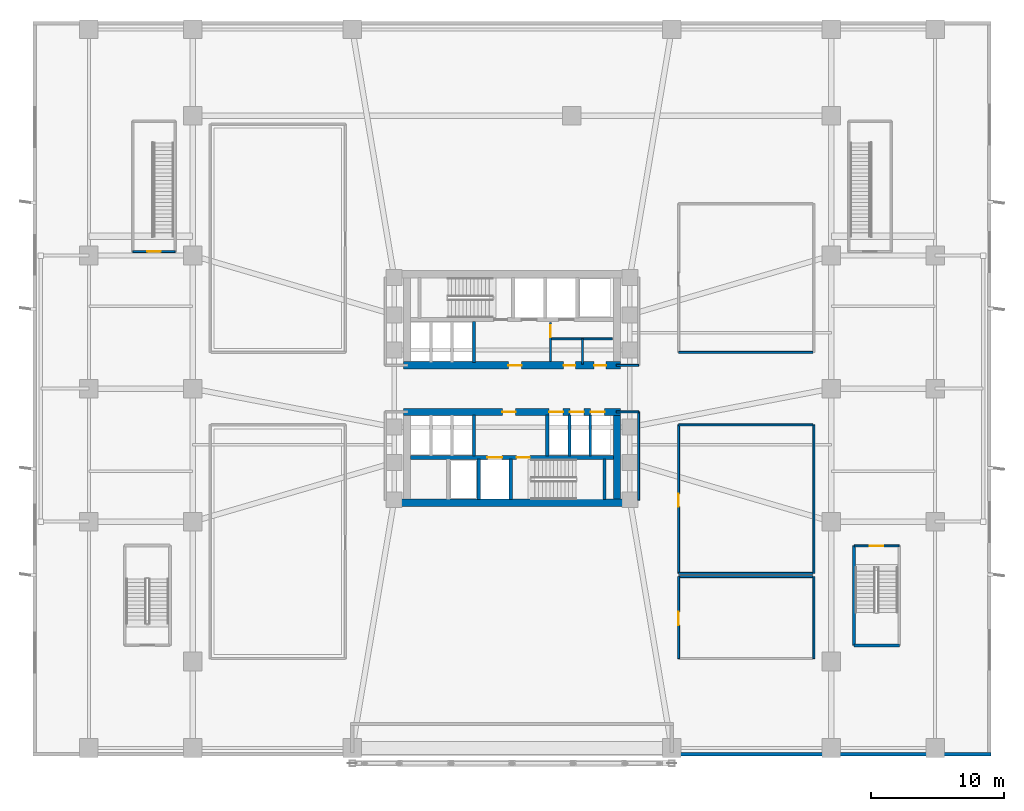
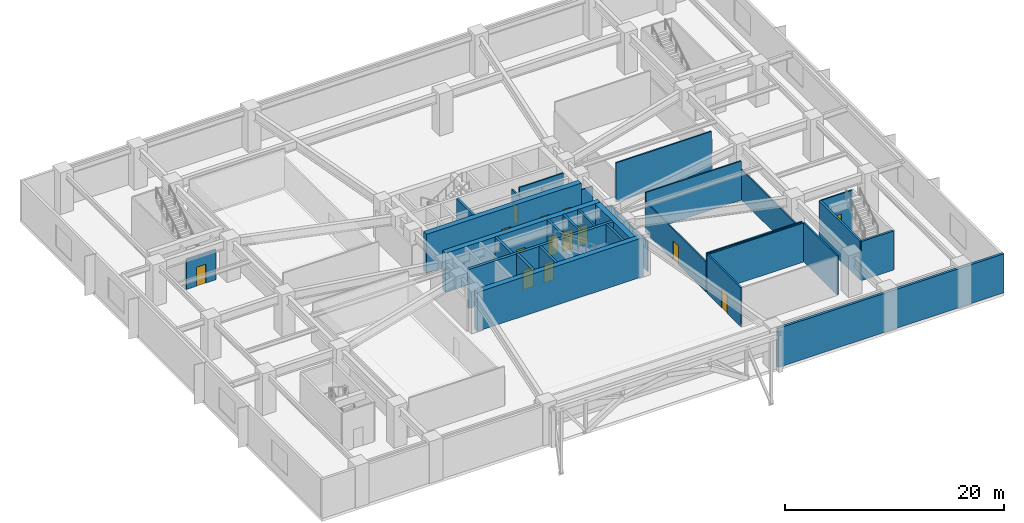
# One storey, part 13 of 21: 32 walls, 14 doors, 14 openings.
"""IFC4 building model written with IfcOpenShell, lengths in metres."""

from ifc_helpers import new_model, si_unit, direction, frame, frame_2d, origin, place, context, subcontext, project, spatial, rectangle, extrude, material, layer, layer_set, type_object, element, fill, save


model = new_model("IFC4")

# Units and contexts
model_context = context("Model", 3, precision=1e-05, world=origin(), true_north=direction((0.0, 1.0)))
body_context = subcontext(model_context, "Body", "Model", "MODEL_VIEW")
ifc_project = project(units=[si_unit("LENGTHUNIT", "METRE"), si_unit("AREAUNIT", "SQUARE_METRE"), si_unit("VOLUMEUNIT", "CUBIC_METRE"), si_unit("PLANEANGLEUNIT", "RADIAN"), si_unit("MASSUNIT", "GRAM", prefix="KILO")], contexts=[model_context])

# Site, building, storey
site_placement = place(None, origin())
site = spatial("IfcSite", under=ifc_project, at=site_placement, CompositionType="ELEMENT")
building_placement = place(site_placement, origin())
building = spatial("IfcBuilding", under=site, at=building_placement, Name="Solmarez Civic Tower", CompositionType="ELEMENT")
storey_placement = place(building_placement, frame((0.0, 0.0, 10.080078125)))
storey = spatial("IfcBuildingStorey", under=building, at=storey_placement, Name="L02", CompositionType="ELEMENT", Elevation=10.080078125)

# Wall, openings, doors
ifc_material_1 = material(Name="Concrete C60/75", Category="concrete")
ifc_layer_1 = layer(ifc_material_1, 0.550048828125)
ifc_layer_set_1 = layer_set([ifc_layer_1], Name="Concrete C60/75")
wall_type_1 = type_object("IfcWallType", Name="WALL-CORE-550", PredefinedType="SHEAR", material=ifc_layer_set_1)
wall_1_placement = place(storey_placement, frame((8.169921875, 1.75, 0.0), z_axis=(0.0, 0.0, 1.0), x_axis=(-1.0, 0.0, 0.0)))
wall_1 = element("IfcWall", 1, at=wall_1_placement, inside=storey, type_object=wall_type_1, Name="L02 Split-Core Structural Wall NCW-S-L02", PredefinedType="SHEAR", context=body_context, shape_type="SweptSolid", body=[
    extrude(rectangle(XDim=16.33984375, YDim=0.550048828125, at=frame_2d((8.169921875, 0.0))), origin(), (0.0, 0.0, 1.0), 4.35986328125),
])
opening_1_placement = place(wall_1_placement, frame((7.449951171875, 0.0, 0.0)))
opening_1 = element("IfcOpeningElement", 2, at=opening_1_placement, cuts=wall_1, Name="Opening D-04", PredefinedType="OPENING", context=body_context, shape_type="SweptSolid", body=[
    extrude(rectangle(XDim=1.0, YDim=2.10009765625, at=frame_2d((0.5, 1.050048828125))), frame((0.0, 0.284912109375, 0.0), z_axis=(0.0, -1.0, 0.0), x_axis=(1.0, 0.0, 0.0)), (0.0, 0.0, 1.0), 0.570068359375),
])
opening_2_placement = place(wall_1_placement, frame((3.39990234375, 0.0, 0.0)))
opening_2 = element("IfcOpeningElement", 3, at=opening_2_placement, cuts=wall_1, Name="Opening D-09", PredefinedType="OPENING", context=body_context, shape_type="SweptSolid", body=[
    extrude(rectangle(XDim=0.89990234375, YDim=2.06005859375, at=frame_2d((0.449951171875, 1.030029296875))), frame((0.0, 0.284912109375, 0.0), z_axis=(0.0, -1.0, 0.0), x_axis=(1.0, 0.0, 0.0)), (0.0, 0.0, 1.0), 0.570068359375),
])
opening_3_placement = place(wall_1_placement, frame((1.10009765625, 0.0, 0.0)))
opening_3 = element("IfcOpeningElement", 4, at=opening_3_placement, cuts=wall_1, Name="Opening D-09", PredefinedType="OPENING", context=body_context, shape_type="SweptSolid", body=[
    extrude(rectangle(XDim=0.89990234375, YDim=2.06005859375, at=frame_2d((0.449951171875, 1.030029296875))), frame((0.0, 0.284912109375, 0.0), z_axis=(0.0, -1.0, 0.0), x_axis=(1.0, 0.0, 0.0)), (0.0, 0.0, 1.0), 0.570068359375),
])
ifc_material_2 = material(Name="Steel-Faced Acoustic Fire Door", Category="steel")
door_type_1 = type_object("IfcDoorType", Name="DOOR-FD60-1000", OperationType="NOTDEFINED", PredefinedType="DOOR", material=ifc_material_2)
door_1_placement = place(opening_1_placement, origin())
door_1 = element("IfcDoor", 5, at=door_1_placement, inside=storey, type_object=door_type_1, Name="L02 North Firefighting Lobby Door", OperationType="SINGLE_SWING_LEFT", OverallHeight=2.10009765625, OverallWidth=1.0, PredefinedType="DOOR", context=body_context, shape_type="SweptSolid", body=[
    extrude(rectangle(XDim=1.0, YDim=2.10009765625, at=frame_2d((0.5, 1.050048828125))), frame((0.0, 0.02490234375, 0.0), z_axis=(0.0, -1.0, 0.0), x_axis=(1.0, 0.0, 0.0)), (0.0, 0.0, 1.0), 0.050048828125),
])
fill(opening_1, door_1)
ifc_material_3 = material(Name="Fire-Rated Service Core Door", Category="wood")
door_type_2 = type_object("IfcDoorType", Name="DOOR-FD60-900", OperationType="NOTDEFINED", PredefinedType="DOOR", material=ifc_material_3)
door_2_placement = place(opening_2_placement, origin())
door_2 = element("IfcDoor", 6, at=door_2_placement, inside=storey, type_object=door_type_2, Name="L02 Core WC Door", OperationType="SINGLE_SWING_LEFT", OverallHeight=2.06005859375, OverallWidth=0.89990234375, PredefinedType="DOOR", context=body_context, shape_type="SweptSolid", body=[
    extrude(rectangle(XDim=0.89990234375, YDim=2.06005859375, at=frame_2d((0.449951171875, 1.030029296875))), frame((0.0, 0.02490234375, 0.0), z_axis=(0.0, -1.0, 0.0), x_axis=(1.0, 0.0, 0.0)), (0.0, 0.0, 1.0), 0.050048828125),
])
fill(opening_2, door_2)
door_3_placement = place(opening_3_placement, origin())
door_3 = element("IfcDoor", 7, at=door_3_placement, inside=storey, type_object=door_type_2, Name="L02 Core CL Door", OperationType="SINGLE_SWING_RIGHT", OverallHeight=2.06005859375, OverallWidth=0.89990234375, PredefinedType="DOOR", context=body_context, shape_type="SweptSolid", body=[
    extrude(rectangle(XDim=0.89990234375, YDim=2.06005859375, at=frame_2d((0.449951171875, 1.030029296875))), frame((0.0, 0.02490234375, 0.0), z_axis=(0.0, -1.0, 0.0), x_axis=(1.0, 0.0, 0.0)), (0.0, 0.0, 1.0), 0.050048828125),
])
fill(opening_3, door_3)

# Wall
wall_2_placement = place(storey_placement, frame((8.780029296875, -8.5849609375, 0.0), z_axis=(0.0, 0.0, 1.0), x_axis=(-1.0, 0.0, 0.0)))
element("IfcWall", 8, at=wall_2_placement, inside=storey, type_object=wall_type_1, Name="L02 Split-Core Structural Wall SCW-S-L02", PredefinedType="SHEAR", context=body_context, shape_type="SweptSolid", body=[
    extrude(rectangle(XDim=17.56005859375, YDim=0.550048828125, at=frame_2d((8.780029296875, 0.0))), origin(), (0.0, 0.0, 1.0), 4.35986328125),
])

# Wall, openings, doors
wall_3_placement = place(storey_placement, frame((-8.169921875, -1.75, 0.0), z_axis=(0.0, 0.0, 1.0), x_axis=(1.0, 0.0, 0.0)))
wall_3 = element("IfcWall", 9, at=wall_3_placement, inside=storey, type_object=wall_type_1, Name="L02 Split-Core Structural Wall SCW-N-L02", PredefinedType="SHEAR", context=body_context, shape_type="SweptSolid", body=[
    extrude(rectangle(XDim=16.33984375, YDim=0.550048828125, at=frame_2d((8.169921875, 0.0))), origin(), (0.0, 0.0, 1.0), 4.35986328125),
])
opening_4_placement = place(wall_3_placement, frame((7.449951171875, 0.0, 0.0)))
opening_4 = element("IfcOpeningElement", 10, at=opening_4_placement, cuts=wall_3, Name="Opening D-04", PredefinedType="OPENING", context=body_context, shape_type="SweptSolid", body=[
    extrude(rectangle(XDim=1.0, YDim=2.10009765625, at=frame_2d((0.5, 1.050048828125))), frame((0.0, 0.284912109375, 0.0), z_axis=(0.0, -1.0, 0.0), x_axis=(1.0, 0.0, 0.0)), (0.0, 0.0, 1.0), 0.570068359375),
])
opening_5_placement = place(wall_3_placement, frame((10.965087890625, 0.0, 0.0)))
opening_5 = element("IfcOpeningElement", 11, at=opening_5_placement, cuts=wall_3, Name="Opening LD-01", PredefinedType="OPENING", context=body_context, shape_type="SweptSolid", body=[
    extrude(rectangle(XDim=1.050048828125, YDim=2.14990234375, at=frame_2d((0.52490234375, 1.074951171875))), frame((0.0, 0.284912109375, 0.0), z_axis=(0.0, -1.0, 0.0), x_axis=(1.0, 0.0, 0.0)), (0.0, 0.0, 1.0), 0.570068359375),
])
opening_6_placement = place(wall_3_placement, frame((12.52490234375, 0.0, 0.0)))
opening_6 = element("IfcOpeningElement", 12, at=opening_6_placement, cuts=wall_3, Name="Opening LD-01", PredefinedType="OPENING", context=body_context, shape_type="SweptSolid", body=[
    extrude(rectangle(XDim=1.050048828125, YDim=2.14990234375, at=frame_2d((0.52490234375, 1.074951171875))), frame((0.0, 0.284912109375, 0.0), z_axis=(0.0, -1.0, 0.0), x_axis=(1.0, 0.0, 0.0)), (0.0, 0.0, 1.0), 0.570068359375),
])
opening_7_placement = place(wall_3_placement, frame((14.0849609375, 0.0, 0.0)))
opening_7 = element("IfcOpeningElement", 13, at=opening_7_placement, cuts=wall_3, Name="Opening LD-01", PredefinedType="OPENING", context=body_context, shape_type="SweptSolid", body=[
    extrude(rectangle(XDim=1.050048828125, YDim=2.14990234375, at=frame_2d((0.52490234375, 1.074951171875))), frame((0.0, 0.284912109375, 0.0), z_axis=(0.0, -1.0, 0.0), x_axis=(1.0, 0.0, 0.0)), (0.0, 0.0, 1.0), 0.570068359375),
])
door_4_placement = place(opening_4_placement, origin())
door_4 = element("IfcDoor", 14, at=door_4_placement, inside=storey, type_object=door_type_1, Name="L02 South Firefighting Lobby Door", OperationType="SINGLE_SWING_RIGHT", OverallHeight=2.10009765625, OverallWidth=1.0, PredefinedType="DOOR", context=body_context, shape_type="SweptSolid", body=[
    extrude(rectangle(XDim=1.0, YDim=2.10009765625, at=frame_2d((0.5, 1.050048828125))), frame((0.0, 0.02490234375, 0.0), z_axis=(0.0, -1.0, 0.0), x_axis=(1.0, 0.0, 0.0)), (0.0, 0.0, 1.0), 0.050048828125),
])
fill(opening_4, door_4)
ifc_material_4 = material(Name="Bronze Passenger Lift Landing Sliding Door", Category="aluminium")
door_type_3 = type_object("IfcDoorType", Name="DOOR-LD-PAX-1050", OperationType="DOUBLE_DOOR_SLIDING", PredefinedType="DOOR", material=ifc_material_4)
door_5_placement = place(opening_5_placement, origin())
door_5 = element("IfcDoor", 15, at=door_5_placement, inside=storey, type_object=door_type_3, Name="L02 Low-Rise Lift Landing Door PL-L1", OperationType="DOUBLE_DOOR_SLIDING", OverallHeight=2.14990234375, OverallWidth=1.050048828125, PredefinedType="DOOR", context=body_context, shape_type="SweptSolid", body=[
    extrude(rectangle(XDim=1.050048828125, YDim=2.14990234375, at=frame_2d((0.52490234375, 1.074951171875))), frame((0.0, 0.02490234375, 0.0), z_axis=(0.0, -1.0, 0.0), x_axis=(1.0, 0.0, 0.0)), (0.0, 0.0, 1.0), 0.050048828125),
])
fill(opening_5, door_5)
door_6_placement = place(opening_6_placement, origin())
door_6 = element("IfcDoor", 16, at=door_6_placement, inside=storey, type_object=door_type_3, Name="L02 Low-Rise Lift Landing Door PL-L2", OperationType="DOUBLE_DOOR_SLIDING", OverallHeight=2.14990234375, OverallWidth=1.050048828125, PredefinedType="DOOR", context=body_context, shape_type="SweptSolid", body=[
    extrude(rectangle(XDim=1.050048828125, YDim=2.14990234375, at=frame_2d((0.52490234375, 1.074951171875))), frame((0.0, 0.02490234375, 0.0), z_axis=(0.0, -1.0, 0.0), x_axis=(1.0, 0.0, 0.0)), (0.0, 0.0, 1.0), 0.050048828125),
])
fill(opening_6, door_6)
door_7_placement = place(opening_7_placement, origin())
door_7 = element("IfcDoor", 17, at=door_7_placement, inside=storey, type_object=door_type_3, Name="L02 Low-Rise Lift Landing Door PL-L3", OperationType="DOUBLE_DOOR_SLIDING", OverallHeight=2.14990234375, OverallWidth=1.050048828125, PredefinedType="DOOR", context=body_context, shape_type="SweptSolid", body=[
    extrude(rectangle(XDim=1.050048828125, YDim=2.14990234375, at=frame_2d((0.52490234375, 1.074951171875))), frame((0.0, 0.02490234375, 0.0), z_axis=(0.0, -1.0, 0.0), x_axis=(1.0, 0.0, 0.0)), (0.0, 0.0, 1.0), 0.050048828125),
])
fill(opening_7, door_7)

# Walls
wall_4_placement = place(storey_placement, frame((7.89501953125, -2.02490234375, 0.0), z_axis=(0.0, 0.0, 1.0), x_axis=(0.0, -1.0, 0.0)))
element("IfcWall", 18, at=wall_4_placement, inside=storey, type_object=wall_type_1, Name="L02 Split-Core Structural Wall SCW-E-L02", PredefinedType="SHEAR", context=body_context, shape_type="SweptSolid", body=[
    extrude(rectangle(XDim=6.28515625, YDim=0.550048828125, at=frame_2d((3.142578125, 0.0))), origin(), (0.0, 0.0, 1.0), 4.35986328125),
])
ifc_material_5 = material(Name="Precast concrete C40/50", Category="concrete")
ifc_layer_2 = layer(ifc_material_5, 0.260009765625)
ifc_layer_set_2 = layer_set([ifc_layer_2], Name="Precast concrete C40/50")
wall_type_2 = type_object("IfcWallType", Name="WALL-EXT-260", PredefinedType="SOLIDWALL", material=ifc_layer_set_2)
wall_5_placement = place(storey_placement, frame((36.0, -27.469970703125, 0.0), z_axis=(0.0, 0.0, 1.0), x_axis=(-1.0, 0.0, 0.0)))
element("IfcWall", 19, at=wall_5_placement, inside=storey, type_object=wall_type_2, Name="L02 South Arch Podium Wall EW-SE-L02", PredefinedType="SOLIDWALL", context=body_context, shape_type="SweptSolid", body=[
    extrude(rectangle(XDim=23.8701171875, YDim=0.260009765625, at=frame_2d((11.93505859375, 0.0))), origin(), (0.0, 0.0, 1.0), 4.35986328125),
])

# Wall, opening, door
ifc_material_6 = material(Name="Gypsum Board Acoustic Steel-Stud Partition", Category="steel")
ifc_layer_3 = layer(ifc_material_6, 0.14990234375)
ifc_layer_set_3 = layer_set([ifc_layer_3], Name="Gypsum Board Acoustic Steel-Stud Partition")
wall_type_3 = type_object("IfcWallType", Name="WALL-INT-FIRE-150", PredefinedType="PARTITIONING", material=ifc_layer_set_3)
wall_6_placement = place(storey_placement, frame((29.080078125, -11.820068359375, 0.0), z_axis=(0.0, 0.0, 1.0), x_axis=(-1.0, 0.0, 0.0)))
wall_6 = element("IfcWall", 20, at=wall_6_placement, inside=storey, type_object=wall_type_3, Name="L02 Podium Exit Stair STP2 Wall", PredefinedType="PARTITIONING", context=body_context, shape_type="SweptSolid", body=[
    extrude(rectangle(XDim=3.360107421875, YDim=0.14990234375, at=frame_2d((1.68017578125, 0.0))), origin(), (0.0, 0.0, 1.0), 4.35986328125),
])
opening_8_placement = place(wall_6_placement, frame((1.179931640625, 0.0, 0.0)))
opening_8 = element("IfcOpeningElement", 21, at=opening_8_placement, cuts=wall_6, Name="Opening D-05", PredefinedType="OPENING", context=body_context, shape_type="SweptSolid", body=[
    extrude(rectangle(XDim=1.0, YDim=2.10009765625, at=frame_2d((0.5, 1.050048828125))), frame((0.0, 0.0849609375, 0.0), z_axis=(0.0, -1.0, 0.0), x_axis=(1.0, 0.0, 0.0)), (0.0, 0.0, 1.0), 0.169921875),
])
ifc_material_7 = material(Name="Fire-Rated Stairwell Exit Door", Category="wood")
door_type_4 = type_object("IfcDoorType", Name="DOOR-FD90-1000", OperationType="NOTDEFINED", PredefinedType="DOOR", material=ifc_material_7)
door_8_placement = place(opening_8_placement, origin())
door_8 = element("IfcDoor", 22, at=door_8_placement, inside=storey, type_object=door_type_4, Name="L02 Podium Exit Stair STP2 Door", OperationType="SINGLE_SWING_LEFT", OverallHeight=2.10009765625, OverallWidth=1.0, PredefinedType="DOOR", context=body_context, shape_type="SweptSolid", body=[
    extrude(rectangle(XDim=1.0, YDim=2.10009765625, at=frame_2d((0.5, 1.050048828125))), frame((0.0, 0.02490234375, 0.0), z_axis=(0.0, -1.0, 0.0), x_axis=(1.0, 0.0, 0.0)), (0.0, 0.0, 1.0), 0.050048828125),
])
fill(opening_8, door_8)

wall_7_placement = place(storey_placement, frame((-28.47998046875, 10.300048828125, 0.0), z_axis=(0.0, 0.0, 1.0), x_axis=(1.0, 0.0, 0.0)))
wall_7 = element("IfcWall", 23, at=wall_7_placement, inside=storey, type_object=wall_type_3, Name="L02 Podium Stair P3 Shaft Wall", PredefinedType="PARTITIONING", context=body_context, shape_type="SweptSolid", body=[
    extrude(rectangle(XDim=3.159912109375, YDim=0.14990234375, at=frame_2d((1.580078125, 0.0))), origin(), (0.0, 0.0, 1.0), 3.369873046875),
])
opening_9_placement = place(wall_7_placement, frame((1.080078125, 0.0, 0.0)))
opening_9 = element("IfcOpeningElement", 24, at=opening_9_placement, cuts=wall_7, Name="Opening D-05", PredefinedType="OPENING", context=body_context, shape_type="SweptSolid", body=[
    extrude(rectangle(XDim=1.0, YDim=2.10009765625, at=frame_2d((0.5, 1.050048828125))), frame((0.0, 0.0849609375, 0.0), z_axis=(0.0, -1.0, 0.0), x_axis=(1.0, 0.0, 0.0)), (0.0, 0.0, 1.0), 0.169921875),
])
door_9_placement = place(opening_9_placement, origin())
door_9 = element("IfcDoor", 25, at=door_9_placement, inside=storey, type_object=door_type_4, Name="L02 Podium Stair P3 Entry Door", OperationType="SINGLE_SWING_RIGHT", OverallHeight=2.10009765625, OverallWidth=1.0, PredefinedType="DOOR", context=body_context, shape_type="SweptSolid", body=[
    extrude(rectangle(XDim=1.0, YDim=2.10009765625, at=frame_2d((0.5, 1.050048828125))), frame((0.0, 0.02490234375, 0.0), z_axis=(0.0, -1.0, 0.0), x_axis=(1.0, 0.0, 0.0)), (0.0, 0.0, 1.0), 0.050048828125),
])
fill(opening_9, door_9)

# Walls
wall_8_placement = place(storey_placement, frame((7.85009765625, 1.75, 0.0), z_axis=(0.0, 0.0, 1.0), x_axis=(1.0, 0.0, 0.0)))
element("IfcWall", 26, at=wall_8_placement, inside=storey, type_object=wall_type_3, Name="L02 Interior Partition CHW-L02-EN3", PredefinedType="PARTITIONING", context=body_context, shape_type="SweptSolid", body=[
    extrude(rectangle(XDim=1.669921875, YDim=0.14990234375, at=frame_2d((0.8349609375, 0.0))), origin(), (0.0, 0.0, 1.0), 3.4248046875),
])
wall_9_placement = place(storey_placement, frame((9.52001953125, -8.3798828125, 0.0), z_axis=(0.0, 0.0, 1.0), x_axis=(0.0, 1.0, 0.0)))
element("IfcWall", 27, at=wall_9_placement, inside=storey, type_object=wall_type_3, Name="L02 Interior Partition CHW-L02-ES1", PredefinedType="PARTITIONING", context=body_context, shape_type="SweptSolid", body=[
    extrude(rectangle(XDim=6.6298828125, YDim=0.14990234375, at=frame_2d((3.31494140625, 0.0))), origin(), (0.0, 0.0, 1.0), 3.369873046875),
])
wall_10_placement = place(storey_placement, frame((7.85009765625, -1.75, 0.0), z_axis=(0.0, 0.0, 1.0), x_axis=(1.0, 0.0, 0.0)))
element("IfcWall", 28, at=wall_10_placement, inside=storey, type_object=wall_type_3, Name="L02 Interior Partition CHW-L02-ES3", PredefinedType="PARTITIONING", context=body_context, shape_type="SweptSolid", body=[
    extrude(rectangle(XDim=1.669921875, YDim=0.14990234375, at=frame_2d((0.8349609375, 0.0))), origin(), (0.0, 0.0, 1.0), 3.4248046875),
])
wall_11_placement = place(storey_placement, frame((22.679931640625, -13.8798828125, 0.0), z_axis=(0.0, 0.0, 1.0), x_axis=(0.0, 1.0, 0.0)))
element("IfcWall", 29, at=wall_11_placement, inside=storey, type_object=wall_type_3, Name="L02 Interior Partition PT-L0X-L02-SE1-B", PredefinedType="PARTITIONING", context=body_context, shape_type="SweptSolid", body=[
    extrude(rectangle(XDim=11.159912109375, YDim=0.14990234375, at=frame_2d((5.580078125, 0.0))), origin(), (0.0, 0.0, 1.0), 3.369873046875),
])
wall_12_placement = place(storey_placement, frame((22.679931640625, -20.280029296875, 0.0), z_axis=(0.0, 0.0, 1.0), x_axis=(0.0, 1.0, 0.0)))
element("IfcWall", 30, at=wall_12_placement, inside=storey, type_object=wall_type_3, Name="L02 Interior Partition PT-L0X-L02-WC2-B", PredefinedType="PARTITIONING", context=body_context, shape_type="SweptSolid", body=[
    extrude(rectangle(XDim=6.159912109375, YDim=0.14990234375, at=frame_2d((3.080078125, 0.0))), origin(), (0.0, 0.0, 1.0), 4.35986328125),
])
ifc_layer_4 = layer(ifc_material_6, 0.14501953125)
ifc_layer_set_4 = layer_set([ifc_layer_4], Name="Gypsum Board Acoustic Steel-Stud Partition")
wall_type_4 = type_object("IfcWallType", Name="WALL-INT-PART-150", PredefinedType="PARTITIONING", material=ifc_layer_set_4)
wall_13_placement = place(storey_placement, frame((12.52001953125, 2.719970703125, 0.0), z_axis=(0.0, 0.0, 1.0), x_axis=(1.0, 0.0, 0.0)))
element("IfcWall", 31, at=wall_13_placement, inside=storey, type_object=wall_type_4, Name="L02 Interior Partition PT-L0X-L02-NE1-S", PredefinedType="PARTITIONING", context=body_context, shape_type="SweptSolid", body=[
    extrude(rectangle(XDim=10.080078125, YDim=0.14501953125, at=frame_2d((5.0400390625, 0.0))), origin(), (0.0, 0.0, 1.0), 4.35986328125),
])

# Wall, opening, door
wall_14_placement = place(storey_placement, frame((12.52001953125, -13.8798828125, 0.0), z_axis=(0.0, 0.0, 1.0), x_axis=(0.0, 1.0, 0.0)))
wall_14 = element("IfcWall", 32, at=wall_14_placement, inside=storey, type_object=wall_type_4, Name="L02 Interior Partition PT-L0X-L02-SE1-F", PredefinedType="PARTITIONING", context=body_context, shape_type="SweptSolid", body=[
    extrude(rectangle(XDim=11.159912109375, YDim=0.14501953125, at=frame_2d((5.580078125, 0.0))), origin(), (0.0, 0.0, 1.0), 3.369873046875),
])
opening_10_placement = place(wall_14_placement, frame((5.0, 0.0, 0.0)))
opening_10 = element("IfcOpeningElement", 33, at=opening_10_placement, cuts=wall_14, Name="Opening D-04", PredefinedType="OPENING", context=body_context, shape_type="SweptSolid", body=[
    extrude(rectangle(XDim=1.0, YDim=2.10009765625, at=frame_2d((0.5, 1.050048828125))), frame((0.0, 0.08251953125, 0.0), z_axis=(0.0, -1.0, 0.0), x_axis=(1.0, 0.0, 0.0)), (0.0, 0.0, 1.0), 0.1650390625),
])
door_10_placement = place(opening_10_placement, origin())
door_10 = element("IfcDoor", 34, at=door_10_placement, inside=storey, type_object=door_type_1, Name="L02 Legislative Law Library Door", OperationType="SINGLE_SWING_RIGHT", OverallHeight=2.10009765625, OverallWidth=1.0, PredefinedType="DOOR", context=body_context, shape_type="SweptSolid", body=[
    extrude(rectangle(XDim=1.0, YDim=2.10009765625, at=frame_2d((0.5, 1.050048828125))), frame((0.0, 0.02490234375, 0.0), z_axis=(0.0, -1.0, 0.0), x_axis=(1.0, 0.0, 0.0)), (0.0, 0.0, 1.0), 0.050048828125),
])
fill(opening_10, door_10)

# Walls
for number, where, z_axis, x_axis, name in (
    (35, (12.52001953125, -13.8798828125, 0.0), (0.0, 0.0, 1.0), (1.0, 0.0, 0.0), "L02 Interior Partition PT-L0X-L02-SE1-S"),
    (36, (12.52001953125, -2.719970703125, 0.0), (0.0, 0.0, 1.0), (1.0, 0.0, 0.0), "L02 Interior Partition PT-L0X-L02-SE1-N"),
):
    element("IfcWall", number, at=place(storey_placement, frame(where, z_axis=z_axis, x_axis=x_axis)), inside=storey, type_object=wall_type_4, Name=name, PredefinedType="PARTITIONING", context=body_context, shape_type="SweptSolid", body=[
        extrude(rectangle(XDim=10.080078125, YDim=0.14501953125, at=frame_2d((5.0400390625, 0.0))), origin(), (0.0, 0.0, 1.0), 4.35986328125),
    ])

# Wall, opening, door
wall_15_placement = place(storey_placement, frame((12.52001953125, -20.280029296875, 0.0), z_axis=(0.0, 0.0, 1.0), x_axis=(0.0, 1.0, 0.0)))
wall_15 = element("IfcWall", 37, at=wall_15_placement, inside=storey, type_object=wall_type_4, Name="L02 Interior Partition PT-L0X-L02-WC2-F", PredefinedType="PARTITIONING", context=body_context, shape_type="SweptSolid", body=[
    extrude(rectangle(XDim=6.159912109375, YDim=0.14501953125, at=frame_2d((3.080078125, 0.0))), origin(), (0.0, 0.0, 1.0), 4.35986328125),
])
opening_11_placement = place(wall_15_placement, frame((2.5, 0.0, 0.0)))
opening_11 = element("IfcOpeningElement", 38, at=opening_11_placement, cuts=wall_15, Name="Opening D-04", PredefinedType="OPENING", context=body_context, shape_type="SweptSolid", body=[
    extrude(rectangle(XDim=1.0, YDim=2.10009765625, at=frame_2d((0.5, 1.050048828125))), frame((0.0, 0.08251953125, 0.0), z_axis=(0.0, -1.0, 0.0), x_axis=(1.0, 0.0, 0.0)), (0.0, 0.0, 1.0), 0.1650390625),
])
door_11_placement = place(opening_11_placement, origin())
door_11 = element("IfcDoor", 39, at=door_11_placement, inside=storey, type_object=door_type_1, Name="L02 Council Public Accessible Restrooms Door", OperationType="SINGLE_SWING_RIGHT", OverallHeight=2.10009765625, OverallWidth=1.0, PredefinedType="DOOR", context=body_context, shape_type="SweptSolid", body=[
    extrude(rectangle(XDim=1.0, YDim=2.10009765625, at=frame_2d((0.5, 1.050048828125))), frame((0.0, 0.02490234375, 0.0), z_axis=(0.0, -1.0, 0.0), x_axis=(1.0, 0.0, 0.0)), (0.0, 0.0, 1.0), 0.050048828125),
])
fill(opening_11, door_11)

# Wall
wall_16_placement = place(storey_placement, frame((12.52001953125, -14.1201171875, 0.0), z_axis=(0.0, 0.0, 1.0), x_axis=(1.0, 0.0, 0.0)))
element("IfcWall", 40, at=wall_16_placement, inside=storey, type_object=wall_type_4, Name="L02 Interior Partition PT-L0X-L02-WC2-N", PredefinedType="PARTITIONING", context=body_context, shape_type="SweptSolid", body=[
    extrude(rectangle(XDim=10.080078125, YDim=0.14501953125, at=frame_2d((5.0400390625, 0.0))), origin(), (0.0, 0.0, 1.0), 4.35986328125),
])

# Wall, opening, door
ifc_layer_5 = layer(ifc_material_6, 0.159912109375)
ifc_layer_set_5 = layer_set([ifc_layer_5], Name="Gypsum Board Acoustic Steel-Stud Partition")
wall_type_5 = type_object("IfcWallType", Name="WALL-INT-SHAFT-160", PredefinedType="PARTITIONING", material=ifc_layer_set_5)
wall_17_placement = place(storey_placement, frame((2.89990234375, 2.0400390625, 0.0), z_axis=(0.0, 0.0, 1.0), x_axis=(0.0, 1.0, 0.0)))
wall_17 = element("IfcWall", 41, at=wall_17_placement, inside=storey, type_object=wall_type_5, Name="L02 Interior Partition SHW-NL2-L02", PredefinedType="PARTITIONING", context=body_context, shape_type="SweptSolid", body=[
    extrude(rectangle(XDim=2.93994140625, YDim=0.159912109375, at=frame_2d((1.469970703125, 0.0))), origin(), (0.0, 0.0, 1.0), 3.4248046875),
])
opening_12_placement = place(wall_17_placement, frame((1.820068359375, 0.0, 0.0)))
opening_12 = element("IfcOpeningElement", 42, at=opening_12_placement, cuts=wall_17, Name="Opening D-09", PredefinedType="OPENING", context=body_context, shape_type="SweptSolid", body=[
    extrude(rectangle(XDim=0.89990234375, YDim=2.06005859375, at=frame_2d((0.449951171875, 1.030029296875))), frame((0.0, 0.08984375, 0.0), z_axis=(0.0, -1.0, 0.0), x_axis=(1.0, 0.0, 0.0)), (0.0, 0.0, 1.0), 0.179931640625),
])
door_12_placement = place(opening_12_placement, origin())
door_12 = element("IfcDoor", 43, at=door_12_placement, inside=storey, type_object=door_type_2, Name="L02 Service Lift Lobby Door", OperationType="SINGLE_SWING_LEFT", OverallHeight=2.06005859375, OverallWidth=0.89990234375, PredefinedType="DOOR", context=body_context, shape_type="SweptSolid", body=[
    extrude(rectangle(XDim=0.89990234375, YDim=2.06005859375, at=frame_2d((0.449951171875, 1.030029296875))), frame((0.0, 0.02490234375, 0.0), z_axis=(0.0, -1.0, 0.0), x_axis=(1.0, 0.0, 0.0)), (0.0, 0.0, 1.0), 0.050048828125),
])
fill(opening_12, door_12)

# Walls
ifc_layer_6 = layer(ifc_material_6, 0.137939453125)
ifc_layer_set_6 = layer_set([ifc_layer_6], Name="Gypsum Board Acoustic Steel-Stud Partition")
wall_type_6 = type_object("IfcWallType", Name="WALL-INT-WET-140", PredefinedType="PARTITIONING", material=ifc_layer_set_6)
wall_18_placement = place(storey_placement, frame((2.89990234375, 3.739990234375, 0.0), z_axis=(0.0, 0.0, 1.0), x_axis=(1.0, 0.0, 0.0)))
element("IfcWall", 44, at=wall_18_placement, inside=storey, type_object=wall_type_6, Name="L02 Interior Partition SHW-SVH-L02", PredefinedType="PARTITIONING", context=body_context, shape_type="SweptSolid", body=[
    extrude(rectangle(XDim=4.650146484375, YDim=0.137939453125, at=frame_2d((2.3251953125, 0.0))), origin(), (0.0, 0.0, 1.0), 4.35986328125),
])
wall_19_placement = place(storey_placement, frame((5.300048828125, 1.85009765625, 0.0), z_axis=(0.0, 0.0, 1.0), x_axis=(0.0, 1.0, 0.0)))
element("IfcWall", 45, at=wall_19_placement, inside=storey, type_object=wall_type_6, Name="L02 Interior Partition PT-NCSV-L02", PredefinedType="PARTITIONING", context=body_context, shape_type="SweptSolid", body=[
    extrude(rectangle(XDim=1.889892578125, YDim=0.137939453125, at=frame_2d((0.94482421875, 0.0))), origin(), (0.0, 0.0, 1.0), 3.4248046875),
])

# Wall, openings, doors
ifc_material_8 = material(Name="Concrete C50/60", Category="concrete")
ifc_layer_7 = layer(ifc_material_8, 0.300048828125)
ifc_layer_set_7 = layer_set([ifc_layer_7], Name="Concrete C50/60")
wall_type_7 = type_object("IfcWallType", Name="WALL-STR-300", PredefinedType="SOLIDWALL", material=ifc_layer_set_7)
wall_20_placement = place(storey_placement, frame((-7.6201171875, -5.179931640625, 0.0), z_axis=(0.0, 0.0, 1.0), x_axis=(1.0, 0.0, 0.0)))
wall_20 = element("IfcWall", 46, at=wall_20_placement, inside=storey, type_object=wall_type_7, Name="L02 Split-Core Structural Wall SCW-M-L02", PredefinedType="SOLIDWALL", context=body_context, shape_type="SweptSolid", body=[
    extrude(rectangle(XDim=15.240234375, YDim=0.300048828125, at=frame_2d((7.6201171875, 0.0))), origin(), (0.0, 0.0, 1.0), 4.35986328125),
])
opening_13_placement = place(wall_20_placement, frame((5.77001953125, 0.0, 0.0)))
opening_13 = element("IfcOpeningElement", 47, at=opening_13_placement, cuts=wall_20, Name="Opening LD-02", PredefinedType="OPENING", context=body_context, shape_type="SweptSolid", body=[
    extrude(rectangle(XDim=1.10009765625, YDim=2.14990234375, at=frame_2d((0.550048828125, 1.074951171875))), frame((0.0, 0.159912109375, 0.0), z_axis=(0.0, -1.0, 0.0), x_axis=(1.0, 0.0, 0.0)), (0.0, 0.0, 1.0), 0.320068359375),
])
opening_14_placement = place(wall_20_placement, frame((7.969970703125, 0.0, 0.0)))
opening_14 = element("IfcOpeningElement", 48, at=opening_14_placement, cuts=wall_20, Name="Opening D-05", PredefinedType="OPENING", context=body_context, shape_type="SweptSolid", body=[
    extrude(rectangle(XDim=1.0, YDim=2.10009765625, at=frame_2d((0.5, 1.050048828125))), frame((0.0, 0.159912109375, 0.0), z_axis=(0.0, -1.0, 0.0), x_axis=(1.0, 0.0, 0.0)), (0.0, 0.0, 1.0), 0.320068359375),
])
door_13_placement = place(opening_14_placement, origin())
door_13 = element("IfcDoor", 49, at=door_13_placement, inside=storey, type_object=door_type_4, Name="L02 South Exit Stair Door ST-2", OperationType="SINGLE_SWING_RIGHT", OverallHeight=2.10009765625, OverallWidth=1.0, PredefinedType="DOOR", context=body_context, shape_type="SweptSolid", body=[
    extrude(rectangle(XDim=1.0, YDim=2.10009765625, at=frame_2d((0.5, 1.050048828125))), frame((0.0, 0.02490234375, 0.0), z_axis=(0.0, -1.0, 0.0), x_axis=(1.0, 0.0, 0.0)), (0.0, 0.0, 1.0), 0.050048828125),
])
fill(opening_14, door_13)
ifc_material_9 = material(Name="Stainless Firefighting Lift Landing Sliding Door", Category="aluminium")
door_type_5 = type_object("IfcDoorType", Name="DOOR-LD-FF-1100", OperationType="DOUBLE_DOOR_SLIDING", PredefinedType="DOOR", material=ifc_material_9)
door_14_placement = place(opening_13_placement, origin())
door_14 = element("IfcDoor", 50, at=door_14_placement, inside=storey, type_object=door_type_5, Name="L02 Firefighting Lift Landing Door FFL-2", OperationType="DOUBLE_DOOR_SLIDING", OverallHeight=2.14990234375, OverallWidth=1.10009765625, PredefinedType="DOOR", context=body_context, shape_type="SweptSolid", body=[
    extrude(rectangle(XDim=1.10009765625, YDim=2.14990234375, at=frame_2d((0.550048828125, 1.074951171875))), frame((0.0, 0.02490234375, 0.0), z_axis=(0.0, -1.0, 0.0), x_axis=(1.0, 0.0, 0.0)), (0.0, 0.0, 1.0), 0.050048828125),
])
fill(opening_13, door_14)

# Walls
wall_21_placement = place(storey_placement, frame((6.949951171875, -8.340087890625, 0.0), z_axis=(0.0, 0.0, 1.0), x_axis=(0.0, 1.0, 0.0)))
element("IfcWall", 51, at=wall_21_placement, inside=storey, type_object=wall_type_7, Name="L02 Split-Core Structural Wall SHW-SE-L02", PredefinedType="SOLIDWALL", context=body_context, shape_type="SweptSolid", body=[
    extrude(rectangle(XDim=3.06005859375, YDim=0.219970703125, at=frame_2d((1.530029296875, 0.0))), origin(), (0.0, 0.0, 1.0), 4.35986328125),
])
wall_22_placement = place(storey_placement, frame((-2.85009765625, 1.97998046875, 0.0), z_axis=(0.0, 0.0, 1.0), x_axis=(0.0, 1.0, 0.0)))
element("IfcWall", 52, at=wall_22_placement, inside=storey, type_object=wall_type_7, Name="L02 Split-Core Structural Wall SHW-NL1-L02", PredefinedType="SOLIDWALL", context=body_context, shape_type="SweptSolid", body=[
    extrude(rectangle(XDim=3.070068359375, YDim=0.25, at=frame_2d((1.53515625, 0.0))), origin(), (0.0, 0.0, 1.0), 4.35986328125),
])
for number, where, z_axis, x_axis, name in (
    (53, (-0.10009765625, -8.340087890625, 0.0), (0.0, 0.0, 1.0), (0.0, 1.0, 0.0), "L02 Split-Core Structural Wall SHW-S1-L02"),
    (54, (-2.5, -8.340087890625, 0.0), (0.0, 0.0, 1.0), (0.0, 1.0, 0.0), "L02 Split-Core Structural Wall SHW-S2-L02"),
):
    element("IfcWall", number, at=place(storey_placement, frame(where, z_axis=z_axis, x_axis=x_axis)), inside=storey, type_object=wall_type_7, Name=name, PredefinedType="SOLIDWALL", context=body_context, shape_type="SweptSolid", body=[
        extrude(rectangle(XDim=3.0400390625, YDim=0.25, at=frame_2d((1.52001953125, 0.0))), origin(), (0.0, 0.0, 1.0), 4.35986328125),
    ])
for number, where, z_axis, x_axis, name in (
    (55, (-2.85009765625, -5.050048828125, 0.0), (0.0, 0.0, 1.0), (0.0, 1.0, 0.0), "L02 Split-Core Structural Wall SHW-SL1-L02"),
    (56, (2.64990234375, -5.050048828125, 0.0), (0.0, 0.0, 1.0), (0.0, 1.0, 0.0), "L02 Split-Core Structural Wall SHW-SL2-L02"),
):
    element("IfcWall", number, at=place(storey_placement, frame(where, z_axis=z_axis, x_axis=x_axis)), inside=storey, type_object=wall_type_7, Name=name, PredefinedType="SOLIDWALL", context=body_context, shape_type="SweptSolid", body=[
        extrude(rectangle(XDim=3.070068359375, YDim=0.25, at=frame_2d((1.53515625, 0.0))), origin(), (0.0, 0.0, 1.0), 4.35986328125),
    ])
for number, where, z_axis, x_axis, name in (
    (57, (4.320068359375, -5.050048828125, 0.0), (0.0, 0.0, 1.0), (0.0, 1.0, 0.0), "L02 Split-Core Structural Wall SHW-PLL-L02-1"),
    (58, (5.8798828125, -5.050048828125, 0.0), (0.0, 0.0, 1.0), (0.0, 1.0, 0.0), "L02 Split-Core Structural Wall SHW-PLL-L02-2"),
):
    element("IfcWall", number, at=place(storey_placement, frame(where, z_axis=z_axis, x_axis=x_axis)), inside=storey, type_object=wall_type_7, Name=name, PredefinedType="SOLIDWALL", context=body_context, shape_type="SweptSolid", body=[
        extrude(rectangle(XDim=3.070068359375, YDim=0.219970703125, at=frame_2d((1.53515625, 0.0))), origin(), (0.0, 0.0, 1.0), 4.35986328125),
    ])
wall_23_placement = place(storey_placement, frame((25.699951171875, -19.300048828125, 0.0), z_axis=(0.0, 0.0, 1.0), x_axis=(0.0, 1.0, 0.0)))
element("IfcWall", 59, at=wall_23_placement, inside=storey, type_object=wall_type_7, Name="L02 Podium Stair Structural Wall STP2-W", PredefinedType="SOLIDWALL", context=body_context, shape_type="SweptSolid", body=[
    extrude(rectangle(XDim=7.5, YDim=0.219970703125, at=frame_2d((3.75, 0.0))), origin(), (0.0, 0.0, 1.0), 4.35986328125),
])
wall_24_placement = place(storey_placement, frame((25.699951171875, -19.300048828125, 0.0), z_axis=(0.0, 0.0, 1.0), x_axis=(1.0, 0.0, 0.0)))
element("IfcWall", 60, at=wall_24_placement, inside=storey, type_object=wall_type_7, Name="L02 Podium Stair Structural Wall STP2-S", PredefinedType="SOLIDWALL", context=body_context, shape_type="SweptSolid", body=[
    extrude(rectangle(XDim=3.400146484375, YDim=0.219970703125, at=frame_2d((1.7001953125, 0.0))), origin(), (0.0, 0.0, 1.0), 4.35986328125),
])

save(model, "model.ifc")
